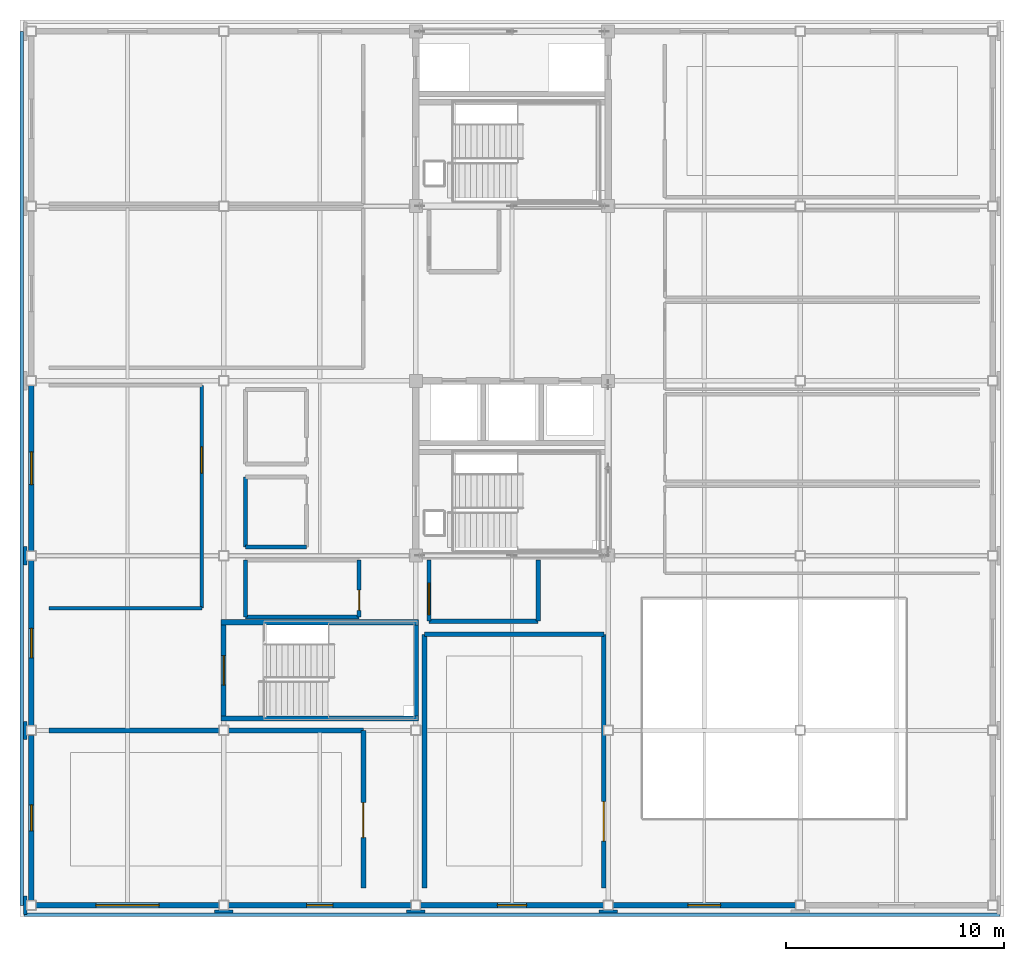
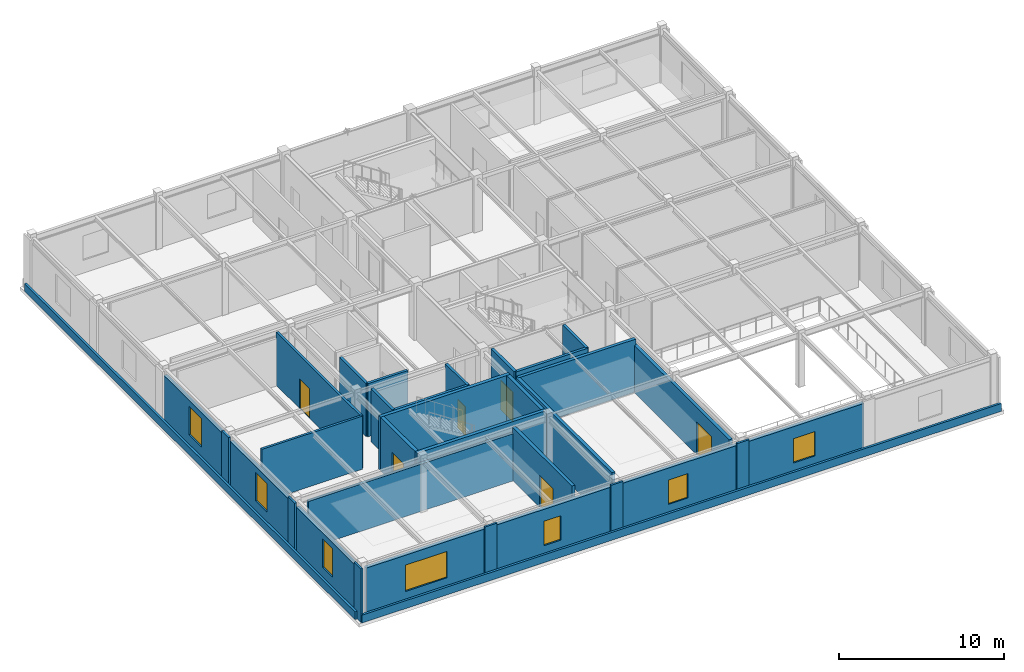
# One storey, part 12 of 18: 34 walls, 7 windows, 6 doors, 13 openings.
"""IFC4 building model written with IfcOpenShell, lengths in metres."""

from ifc_helpers import new_model, si_unit, direction, frame, frame_2d, origin, place, context, subcontext, project, spatial, rectangle, extrude, material, layer, layer_set, type_object, element, fill, save


model = new_model("IFC4")

# Units and contexts
model_context = context("Model", 3, precision=1e-05, world=origin(), true_north=direction((0.0, 1.0)))
body_context = subcontext(model_context, "Body", "Model", "MODEL_VIEW")
ifc_project = project(units=[si_unit("LENGTHUNIT", "METRE"), si_unit("AREAUNIT", "SQUARE_METRE"), si_unit("VOLUMEUNIT", "CUBIC_METRE"), si_unit("PLANEANGLEUNIT", "RADIAN"), si_unit("MASSUNIT", "GRAM", prefix="KILO")], contexts=[model_context])

# Site, building, storey
site_placement = place(None, origin())
site = spatial("IfcSite", under=ifc_project, at=site_placement, CompositionType="ELEMENT")
building_placement = place(site_placement, origin())
building = spatial("IfcBuilding", under=site, at=building_placement, Name="Zhaolan Boulevard Law Courts", CompositionType="ELEMENT")
storey_placement = place(building_placement, frame((0.0, 0.0, 33.0)))
storey = spatial("IfcBuildingStorey", under=building, at=storey_placement, Name="L07", CompositionType="ELEMENT", Elevation=33.0)

# Walls
ifc_material_1 = material(Name="Concrete C40", Category="concrete")
ifc_layer_1 = layer(ifc_material_1, 0.139892578125)
ifc_layer_set_1 = layer_set([ifc_layer_1])
wall_type_1 = type_object("IfcWallType", Name="EXT WALL ARCH CLAD140", PredefinedType="SOLIDWALL", material=ifc_layer_set_1)
for number, where, z_axis, x_axis, name in (
    (1, (-0.280029296875, 29.580078125, 0.0), (0.0, 0.0, 1.0), (0.0, 1.0, 0.0), "Concrete Column Cloak Pier CPR-163"),
    (2, (-0.280029296875, 37.580078125, 0.0), (0.0, 0.0, 1.0), (0.0, 1.0, 0.0), "Concrete Column Cloak Pier CPR-165"),
    (3, (-0.280029296875, 45.580078125, 0.0), (0.0, 0.0, 1.0), (0.0, 1.0, 0.0), "Concrete Column Cloak Pier CPR-167"),
):
    element("IfcWall", number, at=place(storey_placement, frame(where, z_axis=z_axis, x_axis=x_axis)), inside=storey, type_object=wall_type_1, Name=name, PredefinedType="SOLIDWALL", context=body_context, shape_type="SweptSolid", body=[
        extrude(rectangle(XDim=0.83984375, YDim=0.139892578125, at=frame_2d((0.419921875, 0.0))), origin(), (0.0, 0.0, 1.0), 3.93994140625),
    ])
for number, where, z_axis, x_axis, name in (
    (4, (8.3798828125, 29.719970703125, 0.0), (0.0, 0.0, 1.0), (1.0, 0.0, 0.0), "Concrete Column Cloak Pier CPR-175"),
    (5, (17.179931640625, 29.719970703125, 0.0), (0.0, 0.0, 1.0), (1.0, 0.0, 0.0), "Concrete Column Cloak Pier CPR-176"),
    (6, (25.97998046875, 29.719970703125, 0.0), (0.0, 0.0, 1.0), (1.0, 0.0, 0.0), "Concrete Column Cloak Pier CPR-177"),
):
    element("IfcWall", number, at=place(storey_placement, frame(where, z_axis=z_axis, x_axis=x_axis)), inside=storey, type_object=wall_type_1, Name=name, PredefinedType="SOLIDWALL", context=body_context, shape_type="SweptSolid", body=[
        extrude(rectangle(XDim=0.840087890625, YDim=0.139892578125, at=frame_2d((0.419921875, 0.0))), origin(), (0.0, 0.0, 1.0), 3.93994140625),
    ])
ifc_material_2 = material(Name="Concrete C40", Category="concrete")
ifc_layer_2 = layer(ifc_material_2, 0.159912109375)
ifc_layer_set_2 = layer_set([ifc_layer_2])
wall_type_2 = type_object("IfcWallType", Name="EXT WALL ARCH CLAD160", PredefinedType="SOLIDWALL", material=ifc_layer_set_2)
wall_1_placement = place(storey_placement, frame((-0.43994140625, 70.0, 0.0), z_axis=(0.0, 0.0, 1.0), x_axis=(0.0, -1.0, 0.0)))
element("IfcWall", 7, at=wall_1_placement, inside=storey, type_object=wall_type_2, Name="Sculpted Concrete Spandrel Band CBW-159", PredefinedType="SOLIDWALL", context=body_context, shape_type="SweptSolid", body=[
    extrude(rectangle(XDim=40.0, YDim=0.159912109375, at=frame_2d((20.0, 0.0))), origin(), (0.0, 0.0, 1.0), 0.580078125),
])
wall_2_placement = place(storey_placement, frame((-0.340087890625, 29.56005859375, 0.0), z_axis=(0.0, 0.0, 1.0), x_axis=(1.0, 0.0, 0.0)))
element("IfcWall", 8, at=wall_2_placement, inside=storey, type_object=wall_type_2, Name="Sculpted Concrete Spandrel Band CBW-161", PredefinedType="SOLIDWALL", context=body_context, shape_type="SweptSolid", body=[
    extrude(rectangle(XDim=44.68017578125, YDim=0.159912109375, at=frame_2d((22.340087890625, 0.0))), origin(), (0.0, 0.0, 1.0), 0.580078125),
])

# Wall, opening, window
ifc_material_3 = material(Name="Concrete C40", Category="concrete")
ifc_layer_3 = layer(ifc_material_3, 0.260009765625)
ifc_layer_set_3 = layer_set([ifc_layer_3])
wall_type_3 = type_object("IfcWallType", Name="EXT WALL CONCRETE260", PredefinedType="SOLIDWALL", material=ifc_layer_set_3)
wall_3_placement = place(storey_placement, frame((0.220947265625, 30.0, 0.0), z_axis=(0.0, 0.0, 1.0), x_axis=(1.0, 0.0, 0.0)))
wall_3 = element("IfcWall", 9, at=wall_3_placement, inside=storey, type_object=wall_type_3, Name="Exterior Wall EW-L07-389", PredefinedType="SOLIDWALL", context=body_context, shape_type="SweptSolid", body=[
    extrude(rectangle(XDim=8.358154296875, YDim=0.260009765625, at=frame_2d((4.17919921875, 0.0))), origin(), (0.0, 0.0, 1.0), 3.633056640625),
])
opening_1_placement = place(wall_3_placement, frame((2.72900390625, 0.0, 0.949951171875)))
opening_1 = element("IfcOpeningElement", 10, at=opening_1_placement, cuts=wall_3, Name="Opening WIN-L07-239", PredefinedType="OPENING", context=body_context, shape_type="SweptSolid", body=[
    extrude(rectangle(XDim=2.89990234375, YDim=1.949951171875, at=frame_2d((1.449951171875, 0.97509765625))), frame((0.0, 0.139892578125, 0.0), z_axis=(0.0, -1.0, 0.0), x_axis=(1.0, 0.0, 0.0)), (0.0, 0.0, 1.0), 0.280029296875),
])
ifc_material_4 = material(Name="Thermally broken aluminium and low-E glazing", Category="aluminium")
window_type_1 = type_object("IfcWindowType", Name="WINDOW 2900X1950", PartitioningType="DOUBLE_PANEL_VERTICAL", PredefinedType="WINDOW", material=ifc_material_4)
window_1_placement = place(opening_1_placement, origin())
window_1 = element("IfcWindow", 11, at=window_1_placement, inside=storey, type_object=window_type_1, Name="Exterior Window WIN-L07-239", OverallHeight=1.949951171875, OverallWidth=2.89990234375, PartitioningType="SINGLE_PANEL", PredefinedType="WINDOW", context=body_context, shape_type="SweptSolid", body=[
    extrude(rectangle(XDim=2.89990234375, YDim=1.949951171875, at=frame_2d((1.449951171875, 0.97509765625))), frame((0.0, 0.030029296875, 0.0), z_axis=(0.0, -1.0, 0.0), x_axis=(1.0, 0.0, 0.0)), (0.0, 0.0, 1.0), 0.06005859375),
])
fill(opening_1, window_1)

wall_4_placement = place(storey_placement, frame((9.02099609375, 30.0, 0.0), z_axis=(0.0, 0.0, 1.0), x_axis=(1.0, 0.0, 0.0)))
wall_4 = element("IfcWall", 12, at=wall_4_placement, inside=storey, type_object=wall_type_3, Name="Exterior Wall EW-L07-390", PredefinedType="SOLIDWALL", context=body_context, shape_type="SweptSolid", body=[
    extrude(rectangle(XDim=8.35791015625, YDim=0.260009765625, at=frame_2d((4.178955078125, 0.0))), origin(), (0.0, 0.0, 1.0), 3.633056640625),
])
opening_2_placement = place(wall_4_placement, frame((3.5791015625, 0.0, 0.949951171875)))
opening_2 = element("IfcOpeningElement", 13, at=opening_2_placement, cuts=wall_4, Name="Opening WIN-L07-240", PredefinedType="OPENING", context=body_context, shape_type="SweptSolid", body=[
    extrude(rectangle(XDim=1.199951171875, YDim=1.800048828125, at=frame_2d((0.60009765625, 0.89990234375))), frame((0.0, 0.139892578125, 0.0), z_axis=(0.0, -1.0, 0.0), x_axis=(1.0, 0.0, 0.0)), (0.0, 0.0, 1.0), 0.280029296875),
])
ifc_material_5 = material(Name="Thermally broken aluminium and low-E glazing", Category="aluminium")
window_type_2 = type_object("IfcWindowType", Name="WINDOW 1200X1800", PartitioningType="SINGLE_PANEL", PredefinedType="WINDOW", material=ifc_material_5)
window_2_placement = place(opening_2_placement, origin())
window_2 = element("IfcWindow", 14, at=window_2_placement, inside=storey, type_object=window_type_2, Name="Exterior Window WIN-L07-240", OverallHeight=1.800048828125, OverallWidth=1.199951171875, PartitioningType="SINGLE_PANEL", PredefinedType="WINDOW", context=body_context, shape_type="SweptSolid", body=[
    extrude(rectangle(XDim=1.199951171875, YDim=1.800048828125, at=frame_2d((0.60009765625, 0.89990234375))), frame((0.0, 0.030029296875, 0.0), z_axis=(0.0, -1.0, 0.0), x_axis=(1.0, 0.0, 0.0)), (0.0, 0.0, 1.0), 0.06005859375),
])
fill(opening_2, window_2)

wall_5_placement = place(storey_placement, frame((17.821044921875, 30.0, 0.0), z_axis=(0.0, 0.0, 1.0), x_axis=(1.0, 0.0, 0.0)))
wall_5 = element("IfcWall", 15, at=wall_5_placement, inside=storey, type_object=wall_type_3, Name="Exterior Wall EW-L07-391", PredefinedType="SOLIDWALL", context=body_context, shape_type="SweptSolid", body=[
    extrude(rectangle(XDim=8.35791015625, YDim=0.260009765625, at=frame_2d((4.178955078125, 0.0))), origin(), (0.0, 0.0, 1.0), 3.633056640625),
])
opening_3_placement = place(wall_5_placement, frame((3.50390625, 0.0, 0.949951171875)))
opening_3 = element("IfcOpeningElement", 16, at=opening_3_placement, cuts=wall_5, Name="Opening WIN-L07-241", PredefinedType="OPENING", context=body_context, shape_type="SweptSolid", body=[
    extrude(rectangle(XDim=1.35009765625, YDim=1.800048828125, at=frame_2d((0.675048828125, 0.89990234375))), frame((0.0, 0.139892578125, 0.0), z_axis=(0.0, -1.0, 0.0), x_axis=(1.0, 0.0, 0.0)), (0.0, 0.0, 1.0), 0.280029296875),
])
ifc_material_6 = material(Name="Thermally broken aluminium and low-E glazing", Category="aluminium")
window_type_3 = type_object("IfcWindowType", Name="WINDOW 1350X1800", PartitioningType="SINGLE_PANEL", PredefinedType="WINDOW", material=ifc_material_6)
window_3_placement = place(opening_3_placement, origin())
window_3 = element("IfcWindow", 17, at=window_3_placement, inside=storey, type_object=window_type_3, Name="Exterior Window WIN-L07-241", OverallHeight=1.800048828125, OverallWidth=1.35009765625, PartitioningType="SINGLE_PANEL", PredefinedType="WINDOW", context=body_context, shape_type="SweptSolid", body=[
    extrude(rectangle(XDim=1.35009765625, YDim=1.800048828125, at=frame_2d((0.675048828125, 0.89990234375))), frame((0.0, 0.030029296875, 0.0), z_axis=(0.0, -1.0, 0.0), x_axis=(1.0, 0.0, 0.0)), (0.0, 0.0, 1.0), 0.06005859375),
])
fill(opening_3, window_3)

wall_6_placement = place(storey_placement, frame((26.62109375, 30.0, 0.0), z_axis=(0.0, 0.0, 1.0), x_axis=(1.0, 0.0, 0.0)))
wall_6 = element("IfcWall", 18, at=wall_6_placement, inside=storey, type_object=wall_type_3, Name="Exterior Wall EW-L07-392", PredefinedType="SOLIDWALL", context=body_context, shape_type="SweptSolid", body=[
    extrude(rectangle(XDim=8.35791015625, YDim=0.260009765625, at=frame_2d((4.178955078125, 0.0))), origin(), (0.0, 0.0, 1.0), 3.633056640625),
])
opening_4_placement = place(wall_6_placement, frame((3.428955078125, 0.0, 0.949951171875)))
opening_4 = element("IfcOpeningElement", 19, at=opening_4_placement, cuts=wall_6, Name="Opening WIN-L07-242", PredefinedType="OPENING", context=body_context, shape_type="SweptSolid", body=[
    extrude(rectangle(XDim=1.5, YDim=1.800048828125, at=frame_2d((0.75, 0.89990234375))), frame((0.0, 0.139892578125, 0.0), z_axis=(0.0, -1.0, 0.0), x_axis=(1.0, 0.0, 0.0)), (0.0, 0.0, 1.0), 0.280029296875),
])
ifc_material_7 = material(Name="Thermally broken aluminium and low-E glazing", Category="aluminium")
window_type_4 = type_object("IfcWindowType", Name="WINDOW 1500X1800", PartitioningType="SINGLE_PANEL", PredefinedType="WINDOW", material=ifc_material_7)
window_4_placement = place(opening_4_placement, origin())
window_4 = element("IfcWindow", 20, at=window_4_placement, inside=storey, type_object=window_type_4, Name="Exterior Window WIN-L07-242", OverallHeight=1.800048828125, OverallWidth=1.5, PartitioningType="SINGLE_PANEL", PredefinedType="WINDOW", context=body_context, shape_type="SweptSolid", body=[
    extrude(rectangle(XDim=1.5, YDim=1.800048828125, at=frame_2d((0.75, 0.89990234375))), frame((0.0, 0.030029296875, 0.0), z_axis=(0.0, -1.0, 0.0), x_axis=(1.0, 0.0, 0.0)), (0.0, 0.0, 1.0), 0.06005859375),
])
fill(opening_4, window_4)

wall_7_placement = place(storey_placement, frame((0.0, 37.779052734375, 0.0), z_axis=(0.0, 0.0, 1.0), x_axis=(0.0, -1.0, 0.0)))
wall_7 = element("IfcWall", 21, at=wall_7_placement, inside=storey, type_object=wall_type_3, Name="Exterior Wall EW-L07-398", PredefinedType="SOLIDWALL", context=body_context, shape_type="SweptSolid", body=[
    extrude(rectangle(XDim=7.55810546875, YDim=0.260009765625, at=frame_2d((3.779052734375, 0.0))), origin(), (0.0, 0.0, 1.0), 3.48291015625),
])
opening_5_placement = place(wall_7_placement, frame((3.178955078125, 0.0, 0.949951171875)))
opening_5 = element("IfcOpeningElement", 22, at=opening_5_placement, cuts=wall_7, Name="Opening WIN-L07-248", PredefinedType="OPENING", context=body_context, shape_type="SweptSolid", body=[
    extrude(rectangle(XDim=1.199951171875, YDim=2.10009765625, at=frame_2d((0.60009765625, 1.050048828125))), frame((0.0, 0.139892578125, 0.0), z_axis=(0.0, -1.0, 0.0), x_axis=(1.0, 0.0, 0.0)), (0.0, 0.0, 1.0), 0.280029296875),
])
ifc_material_8 = material(Name="Thermally broken aluminium and low-E glazing", Category="aluminium")
window_type_5 = type_object("IfcWindowType", Name="WINDOW 1200X2100", PartitioningType="SINGLE_PANEL", PredefinedType="WINDOW", material=ifc_material_8)
window_5_placement = place(opening_5_placement, origin())
window_5 = element("IfcWindow", 23, at=window_5_placement, inside=storey, type_object=window_type_5, Name="Exterior Window WIN-L07-248", OverallHeight=2.10009765625, OverallWidth=1.199951171875, PartitioningType="SINGLE_PANEL", PredefinedType="WINDOW", context=body_context, shape_type="SweptSolid", body=[
    extrude(rectangle(XDim=1.199951171875, YDim=2.10009765625, at=frame_2d((0.60009765625, 1.050048828125))), frame((0.0, 0.030029296875, 0.0), z_axis=(0.0, -1.0, 0.0), x_axis=(1.0, 0.0, 0.0)), (0.0, 0.0, 1.0), 0.06005859375),
])
fill(opening_5, window_5)

wall_8_placement = place(storey_placement, frame((0.0, 45.779052734375, 0.0), z_axis=(0.0, 0.0, 1.0), x_axis=(0.0, -1.0, 0.0)))
wall_8 = element("IfcWall", 24, at=wall_8_placement, inside=storey, type_object=wall_type_3, Name="Exterior Wall EW-L07-399", PredefinedType="SOLIDWALL", context=body_context, shape_type="SweptSolid", body=[
    extrude(rectangle(XDim=7.55810546875, YDim=0.260009765625, at=frame_2d((3.779052734375, 0.0))), origin(), (0.0, 0.0, 1.0), 3.48291015625),
])
opening_6_placement = place(wall_8_placement, frame((3.10400390625, 0.0, 0.949951171875)))
opening_6 = element("IfcOpeningElement", 25, at=opening_6_placement, cuts=wall_8, Name="Opening WIN-L07-249", PredefinedType="OPENING", context=body_context, shape_type="SweptSolid", body=[
    extrude(rectangle(XDim=1.35009765625, YDim=2.10009765625, at=frame_2d((0.675048828125, 1.050048828125))), frame((0.0, 0.139892578125, 0.0), z_axis=(0.0, -1.0, 0.0), x_axis=(1.0, 0.0, 0.0)), (0.0, 0.0, 1.0), 0.280029296875),
])
ifc_material_9 = material(Name="Thermally broken aluminium and low-E glazing", Category="aluminium")
window_type_6 = type_object("IfcWindowType", Name="WINDOW 1350X2100", PartitioningType="SINGLE_PANEL", PredefinedType="WINDOW", material=ifc_material_9)
window_6_placement = place(opening_6_placement, origin())
window_6 = element("IfcWindow", 26, at=window_6_placement, inside=storey, type_object=window_type_6, Name="Exterior Window WIN-L07-249", OverallHeight=2.10009765625, OverallWidth=1.35009765625, PartitioningType="SINGLE_PANEL", PredefinedType="WINDOW", context=body_context, shape_type="SweptSolid", body=[
    extrude(rectangle(XDim=1.35009765625, YDim=2.10009765625, at=frame_2d((0.675048828125, 1.050048828125))), frame((0.0, 0.030029296875, 0.0), z_axis=(0.0, -1.0, 0.0), x_axis=(1.0, 0.0, 0.0)), (0.0, 0.0, 1.0), 0.06005859375),
])
fill(opening_6, window_6)

wall_9_placement = place(storey_placement, frame((0.0, 53.779052734375, 0.0), z_axis=(0.0, 0.0, 1.0), x_axis=(0.0, -1.0, 0.0)))
wall_9 = element("IfcWall", 27, at=wall_9_placement, inside=storey, type_object=wall_type_3, Name="Exterior Wall EW-L07-400", PredefinedType="SOLIDWALL", context=body_context, shape_type="SweptSolid", body=[
    extrude(rectangle(XDim=7.55810546875, YDim=0.260009765625, at=frame_2d((3.779052734375, 0.0))), origin(), (0.0, 0.0, 1.0), 3.48291015625),
])
opening_7_placement = place(wall_9_placement, frame((3.029052734375, 0.0, 0.949951171875)))
opening_7 = element("IfcOpeningElement", 28, at=opening_7_placement, cuts=wall_9, Name="Opening WIN-L07-250", PredefinedType="OPENING", context=body_context, shape_type="SweptSolid", body=[
    extrude(rectangle(XDim=1.5, YDim=2.10009765625, at=frame_2d((0.75, 1.050048828125))), frame((0.0, 0.139892578125, 0.0), z_axis=(0.0, -1.0, 0.0), x_axis=(1.0, 0.0, 0.0)), (0.0, 0.0, 1.0), 0.280029296875),
])
ifc_material_10 = material(Name="Thermally broken aluminium and low-E glazing", Category="aluminium")
window_type_7 = type_object("IfcWindowType", Name="WINDOW 1500X2100", PartitioningType="SINGLE_PANEL", PredefinedType="WINDOW", material=ifc_material_10)
window_7_placement = place(opening_7_placement, origin())
window_7 = element("IfcWindow", 29, at=window_7_placement, inside=storey, type_object=window_type_7, Name="Exterior Window WIN-L07-250", OverallHeight=2.10009765625, OverallWidth=1.5, PartitioningType="SINGLE_PANEL", PredefinedType="WINDOW", context=body_context, shape_type="SweptSolid", body=[
    extrude(rectangle(XDim=1.5, YDim=2.10009765625, at=frame_2d((0.75, 1.050048828125))), frame((0.0, 0.030029296875, 0.0), z_axis=(0.0, -1.0, 0.0), x_axis=(1.0, 0.0, 0.0)), (0.0, 0.0, 1.0), 0.06005859375),
])
fill(opening_7, window_7)

# Wall
ifc_material_11 = material(Name="Acoustic gypsum and mineral-wool stud")
ifc_layer_4 = layer(ifc_material_11, 0.18994140625)
ifc_layer_set_4 = layer_set([ifc_layer_4])
wall_type_4 = type_object("IfcWallType", Name="PART WALL ACOUST190", PredefinedType="PARTITIONING", material=ifc_layer_set_4)
wall_10_placement = place(storey_placement, frame((18.199951171875, 43.0, 0.0), z_axis=(0.0, 0.0, 1.0), x_axis=(1.0, 0.0, 0.0)))
element("IfcWall", 30, at=wall_10_placement, inside=storey, type_object=wall_type_4, Name="Interior Partition PW-L07-049", PredefinedType="PARTITIONING", context=body_context, shape_type="SweptSolid", body=[
    extrude(rectangle(XDim=5.0, YDim=0.18994140625, at=frame_2d((2.5, 0.0))), origin(), (0.0, 0.0, 1.0), 3.919921875),
])

# Wall, opening, door
wall_11_placement = place(storey_placement, frame((18.199951171875, 45.800048828125, 0.0), z_axis=(0.0, 0.0, 1.0), x_axis=(0.0, -1.0, 0.0)))
wall_11 = element("IfcWall", 31, at=wall_11_placement, inside=storey, type_object=wall_type_4, Name="Interior Partition PW-L07-050", PredefinedType="PARTITIONING", context=body_context, shape_type="SweptSolid", body=[
    extrude(rectangle(XDim=2.800048828125, YDim=0.18994140625, at=frame_2d((1.39990234375, 0.0))), origin(), (0.0, 0.0, 1.0), 3.919921875),
])
opening_8_placement = place(wall_11_placement, frame((1.050048828125, 0.0, 0.0)))
opening_8 = element("IfcOpeningElement", 32, at=opening_8_placement, cuts=wall_11, Name="Opening FD-L07-017", PredefinedType="OPENING", context=body_context, shape_type="SweptSolid", body=[
    extrude(rectangle(XDim=1.449951171875, YDim=2.199951171875, at=frame_2d((0.72509765625, 1.10009765625))), frame((0.0, 0.10498046875, 0.0), z_axis=(0.0, -1.0, 0.0), x_axis=(1.0, 0.0, 0.0)), (0.0, 0.0, 1.0), 0.2099609375),
])
ifc_material_12 = material(Name="Fire-rated steel acoustic door", Category="steel")
door_type_1 = type_object("IfcDoorType", Name="LOBBY FIRE 1450X2200 L", OperationType="SINGLE_SWING_LEFT", PredefinedType="DOOR", material=ifc_material_12)
door_1_placement = place(opening_8_placement, origin())
door_1 = element("IfcDoor", 33, at=door_1_placement, inside=storey, type_object=door_type_1, Name="Door FD-L07-017 (Lobby Firefighting Lift L07-W1)", OperationType="SINGLE_SWING_LEFT", OverallHeight=2.199951171875, OverallWidth=1.449951171875, PredefinedType="DOOR", context=body_context, shape_type="SweptSolid", body=[
    extrude(rectangle(XDim=1.449951171875, YDim=2.199951171875, at=frame_2d((0.72509765625, 1.10009765625))), frame((0.0, 0.02490234375, 0.0), z_axis=(0.0, -1.0, 0.0), x_axis=(1.0, 0.0, 0.0)), (0.0, 0.0, 1.0), 0.050048828125),
])
fill(opening_8, door_1)

# Walls
wall_12_placement = place(storey_placement, frame((23.199951171875, 43.0, 0.0), z_axis=(0.0, 0.0, 1.0), x_axis=(0.0, 1.0, 0.0)))
element("IfcWall", 34, at=wall_12_placement, inside=storey, type_object=wall_type_4, Name="Interior Partition PW-L07-051", PredefinedType="PARTITIONING", context=body_context, shape_type="SweptSolid", body=[
    extrude(rectangle(XDim=2.800048828125, YDim=0.18994140625, at=frame_2d((1.39990234375, 0.0))), origin(), (0.0, 0.0, 1.0), 3.919921875),
])
ifc_material_13 = material(Name="Fire-rated gypsum stud partition")
ifc_layer_5 = layer(ifc_material_13, 0.159912109375)
ifc_layer_set_5 = layer_set([ifc_layer_5])
wall_type_5 = type_object("IfcWallType", Name="PART WALL CHAMB160", PredefinedType="PARTITIONING", material=ifc_layer_set_5)
wall_13_placement = place(storey_placement, frame((0.800048828125, 43.60009765625, 0.0), z_axis=(0.0, 0.0, 1.0), x_axis=(1.0, 0.0, 0.0)))
element("IfcWall", 35, at=wall_13_placement, inside=storey, type_object=wall_type_5, Name="Interior Partition PW-L07-803", PredefinedType="PARTITIONING", context=body_context, shape_type="SweptSolid", body=[
    extrude(rectangle(XDim=7.0, YDim=0.159912109375, at=frame_2d((3.5, 0.0))), origin(), (0.0, 0.0, 1.0), 3.919921875),
])

# Wall, opening, door
wall_14_placement = place(storey_placement, frame((7.800048828125, 43.60009765625, 0.0), z_axis=(0.0, 0.0, 1.0), x_axis=(0.0, 1.0, 0.0)))
wall_14 = element("IfcWall", 36, at=wall_14_placement, inside=storey, type_object=wall_type_5, Name="Interior Partition PW-L07-805", PredefinedType="PARTITIONING", context=body_context, shape_type="SweptSolid", body=[
    extrude(rectangle(XDim=10.199951171875, YDim=0.159912109375, at=frame_2d((5.10009765625, 0.0))), origin(), (0.0, 0.0, 1.0), 3.919921875),
])
opening_9_placement = place(wall_14_placement, frame((6.179931640625, 0.0, 0.0)))
opening_9 = element("IfcOpeningElement", 37, at=opening_9_placement, cuts=wall_14, Name="Opening MD-L07-253", PredefinedType="OPENING", context=body_context, shape_type="SweptSolid", body=[
    extrude(rectangle(XDim=1.199951171875, YDim=2.199951171875, at=frame_2d((0.60009765625, 1.10009765625))), frame((0.0, 0.08984375, 0.0), z_axis=(0.0, -1.0, 0.0), x_axis=(1.0, 0.0, 0.0)), (0.0, 0.0, 1.0), 0.179931640625),
])
ifc_material_14 = material(Name="Solid-core acoustic oak veneer door")
door_type_2 = type_object("IfcDoorType", Name="MED DOOR 1200X2200 L", OperationType="SINGLE_SWING_LEFT", PredefinedType="DOOR", material=ifc_material_14)
door_2_placement = place(opening_9_placement, origin())
door_2 = element("IfcDoor", 38, at=door_2_placement, inside=storey, type_object=door_type_2, Name="Door MD-L07-253 (Administrative Mediation Suite L07)", OperationType="SINGLE_SWING_LEFT", OverallHeight=2.199951171875, OverallWidth=1.199951171875, PredefinedType="DOOR", context=body_context, shape_type="SweptSolid", body=[
    extrude(rectangle(XDim=1.199951171875, YDim=2.199951171875, at=frame_2d((0.60009765625, 1.10009765625))), frame((0.0, 0.02490234375, 0.0), z_axis=(0.0, -1.0, 0.0), x_axis=(1.0, 0.0, 0.0)), (0.0, 0.0, 1.0), 0.050048828125),
])
fill(opening_9, door_2)

# Wall
ifc_material_15 = material(Name="Concrete C40", Category="concrete")
ifc_layer_6 = layer(ifc_material_15, 0.219970703125)
ifc_layer_set_6 = layer_set([ifc_layer_6])
wall_type_6 = type_object("IfcWallType", Name="PART WALL COURT220", PredefinedType="PARTITIONING", material=ifc_layer_set_6)
wall_15_placement = place(storey_placement, frame((15.199951171875, 38.0, 0.0), z_axis=(0.0, 0.0, 1.0), x_axis=(-1.0, 0.0, 0.0)))
element("IfcWall", 39, at=wall_15_placement, inside=storey, type_object=wall_type_6, Name="Interior Partition PW-L07-689", PredefinedType="PARTITIONING", context=body_context, shape_type="SweptSolid", body=[
    extrude(rectangle(XDim=14.39990234375, YDim=0.219970703125, at=frame_2d((7.199951171875, 0.0))), origin(), (0.0, 0.0, 1.0), 3.486083984375),
])

# Wall, opening, door
wall_16_placement = place(storey_placement, frame((15.199951171875, 30.800048828125, 0.0), z_axis=(0.0, 0.0, 1.0), x_axis=(0.0, 1.0, 0.0)))
wall_16 = element("IfcWall", 40, at=wall_16_placement, inside=storey, type_object=wall_type_6, Name="Interior Partition PW-L07-690", PredefinedType="PARTITIONING", context=body_context, shape_type="SweptSolid", body=[
    extrude(rectangle(XDim=7.199951171875, YDim=0.219970703125, at=frame_2d((3.60009765625, 0.0))), origin(), (0.0, 0.0, 1.0), 3.919921875),
])
opening_10_placement = place(wall_16_placement, frame((2.300048828125, 0.0, 0.0)))
opening_10 = element("IfcOpeningElement", 41, at=opening_10_placement, cuts=wall_16, Name="Opening ID-L07-211", PredefinedType="OPENING", context=body_context, shape_type="SweptSolid", body=[
    extrude(rectangle(XDim=1.60009765625, YDim=2.35009765625, at=frame_2d((0.800048828125, 1.175048828125))), frame((0.0, 0.119873046875, 0.0), z_axis=(0.0, -1.0, 0.0), x_axis=(1.0, 0.0, 0.0)), (0.0, 0.0, 1.0), 0.239990234375),
])
ifc_material_16 = material(Name="Solid-core acoustic oak veneer door")
door_type_3 = type_object("IfcDoorType", Name="COURT DOUBLE 1600X2350", OperationType="DOUBLE_DOOR_SINGLE_SWING", PredefinedType="DOOR", material=ifc_material_16)
door_3_placement = place(opening_10_placement, origin())
door_3 = element("IfcDoor", 42, at=door_3_placement, inside=storey, type_object=door_type_3, Name="Door ID-L07-211 (Administrative Review Courtroom 22)", OperationType="DOUBLE_DOOR_SINGLE_SWING", OverallHeight=2.35009765625, OverallWidth=1.60009765625, PredefinedType="DOOR", context=body_context, shape_type="SweptSolid", body=[
    extrude(rectangle(XDim=1.60009765625, YDim=2.35009765625, at=frame_2d((0.800048828125, 1.175048828125))), frame((0.0, 0.02490234375, 0.0), z_axis=(0.0, -1.0, 0.0), x_axis=(1.0, 0.0, 0.0)), (0.0, 0.0, 1.0), 0.050048828125),
])
fill(opening_10, door_3)

# Walls
wall_17_placement = place(storey_placement, frame((26.199951171875, 42.39990234375, 0.0), z_axis=(0.0, 0.0, 1.0), x_axis=(-1.0, 0.0, 0.0)))
element("IfcWall", 43, at=wall_17_placement, inside=storey, type_object=wall_type_6, Name="Interior Partition PW-L07-800", PredefinedType="PARTITIONING", context=body_context, shape_type="SweptSolid", body=[
    extrude(rectangle(XDim=8.199951171875, YDim=0.219970703125, at=frame_2d((4.10009765625, 0.0))), origin(), (0.0, 0.0, 1.0), 3.919921875),
])
wall_18_placement = place(storey_placement, frame((18.0, 42.39990234375, 0.0), z_axis=(0.0, 0.0, 1.0), x_axis=(0.0, -1.0, 0.0)))
element("IfcWall", 44, at=wall_18_placement, inside=storey, type_object=wall_type_6, Name="Interior Partition PW-L07-801", PredefinedType="PARTITIONING", context=body_context, shape_type="SweptSolid", body=[
    extrude(rectangle(XDim=11.599853515625, YDim=0.219970703125, at=frame_2d((5.7998046875, 0.0))), origin(), (0.0, 0.0, 1.0), 3.919921875),
])

# Wall, opening, door
wall_19_placement = place(storey_placement, frame((26.199951171875, 30.800048828125, 0.0), z_axis=(0.0, 0.0, 1.0), x_axis=(0.0, 1.0, 0.0)))
wall_19 = element("IfcWall", 45, at=wall_19_placement, inside=storey, type_object=wall_type_6, Name="Interior Partition PW-L07-802", PredefinedType="PARTITIONING", context=body_context, shape_type="SweptSolid", body=[
    extrude(rectangle(XDim=11.599853515625, YDim=0.219970703125, at=frame_2d((5.7998046875, 0.0))), origin(), (0.0, 0.0, 1.0), 3.486083984375),
])
opening_11_placement = place(wall_19_placement, frame((2.139892578125, 0.0, 0.0)))
opening_11 = element("IfcOpeningElement", 46, at=opening_11_placement, cuts=wall_19, Name="Opening ID-L07-252", PredefinedType="OPENING", context=body_context, shape_type="SweptSolid", body=[
    extrude(rectangle(XDim=1.800048828125, YDim=2.39990234375, at=frame_2d((0.89990234375, 1.199951171875))), frame((0.0, 0.119873046875, 0.0), z_axis=(0.0, -1.0, 0.0), x_axis=(1.0, 0.0, 0.0)), (0.0, 0.0, 1.0), 0.239990234375),
])
ifc_material_17 = material(Name="Solid-core acoustic oak veneer door")
door_type_4 = type_object("IfcDoorType", Name="COURT DOUBLE 1800X2400", OperationType="DOUBLE_DOOR_SINGLE_SWING", PredefinedType="DOOR", material=ifc_material_17)
door_4_placement = place(opening_11_placement, origin())
door_4 = element("IfcDoor", 47, at=door_4_placement, inside=storey, type_object=door_type_4, Name="Door ID-L07-252 (Taxation Review Courtroom L07)", OperationType="DOUBLE_DOOR_SINGLE_SWING", OverallHeight=2.39990234375, OverallWidth=1.800048828125, PredefinedType="DOOR", context=body_context, shape_type="SweptSolid", body=[
    extrude(rectangle(XDim=1.800048828125, YDim=2.39990234375, at=frame_2d((0.89990234375, 1.199951171875))), frame((0.0, 0.02490234375, 0.0), z_axis=(0.0, -1.0, 0.0), x_axis=(1.0, 0.0, 0.0)), (0.0, 0.0, 1.0), 0.050048828125),
])
fill(opening_11, door_4)

# Walls
ifc_material_18 = material(Name="Moisture-resistant masonry chase wall", Category="masonry")
ifc_layer_7 = layer(ifc_material_18, 0.179931640625)
ifc_layer_set_7 = layer_set([ifc_layer_7])
wall_type_7 = type_object("IfcWallType", Name="PLUMB WALL 180", PredefinedType="PLUMBINGWALL", material=ifc_layer_set_7)
wall_20_placement = place(storey_placement, frame((9.800048828125, 46.39990234375, 0.0), z_axis=(0.0, 0.0, 1.0), x_axis=(1.0, 0.0, 0.0)))
element("IfcWall", 48, at=wall_20_placement, inside=storey, type_object=wall_type_7, Name="Interior Partition PW-L07-175", PredefinedType="PLUMBINGWALL", context=body_context, shape_type="SweptSolid", body=[
    extrude(rectangle(XDim=2.800048828125, YDim=0.179931640625, at=frame_2d((1.39990234375, 0.0))), origin(), (0.0, 0.0, 1.0), 3.919921875),
])
wall_21_placement = place(storey_placement, frame((9.800048828125, 49.60009765625, 0.0), z_axis=(0.0, 0.0, 1.0), x_axis=(0.0, -1.0, 0.0)))
element("IfcWall", 49, at=wall_21_placement, inside=storey, type_object=wall_type_7, Name="Interior Partition PW-L07-177", PredefinedType="PLUMBINGWALL", context=body_context, shape_type="SweptSolid", body=[
    extrude(rectangle(XDim=3.2001953125, YDim=0.179931640625, at=frame_2d((1.60009765625, 0.0))), origin(), (0.0, 0.0, 1.0), 3.919921875),
])
wall_22_placement = place(storey_placement, frame((9.800048828125, 43.199951171875, 0.0), z_axis=(0.0, 0.0, 1.0), x_axis=(1.0, 0.0, 0.0)))
element("IfcWall", 50, at=wall_22_placement, inside=storey, type_object=wall_type_7, Name="Interior Partition PW-L07-183", PredefinedType="PLUMBINGWALL", context=body_context, shape_type="SweptSolid", body=[
    extrude(rectangle(XDim=5.199951171875, YDim=0.179931640625, at=frame_2d((2.60009765625, 0.0))), origin(), (0.0, 0.0, 1.0), 3.919921875),
])
wall_23_placement = place(storey_placement, frame((9.800048828125, 45.800048828125, 0.0), z_axis=(0.0, 0.0, 1.0), x_axis=(0.0, -1.0, 0.0)))
element("IfcWall", 51, at=wall_23_placement, inside=storey, type_object=wall_type_7, Name="Interior Partition PW-L07-185", PredefinedType="PLUMBINGWALL", context=body_context, shape_type="SweptSolid", body=[
    extrude(rectangle(XDim=2.60009765625, YDim=0.179931640625, at=frame_2d((1.300048828125, 0.0))), origin(), (0.0, 0.0, 1.0), 3.919921875),
])

# Wall, opening, door
wall_24_placement = place(storey_placement, frame((15.0, 43.199951171875, 0.0), z_axis=(0.0, 0.0, 1.0), x_axis=(0.0, 1.0, 0.0)))
wall_24 = element("IfcWall", 52, at=wall_24_placement, inside=storey, type_object=wall_type_7, Name="Interior Partition PW-L07-186", PredefinedType="PLUMBINGWALL", context=body_context, shape_type="SweptSolid", body=[
    extrude(rectangle(XDim=2.60009765625, YDim=0.179931640625, at=frame_2d((1.300048828125, 0.0))), origin(), (0.0, 0.0, 1.0), 3.919921875),
])
opening_12_placement = place(wall_24_placement, frame((0.300048828125, 0.0, 0.0)))
opening_12 = element("IfcOpeningElement", 53, at=opening_12_placement, cuts=wall_24, Name="Opening WD-L07-054", PredefinedType="OPENING", context=body_context, shape_type="SweptSolid", body=[
    extrude(rectangle(XDim=0.919921875, YDim=2.10009765625, at=frame_2d((0.4599609375, 1.050048828125))), frame((0.0, 0.099853515625, 0.0), z_axis=(0.0, -1.0, 0.0), x_axis=(1.0, 0.0, 0.0)), (0.0, 0.0, 1.0), 0.199951171875),
])
ifc_material_19 = material(Name="Solid-core acoustic oak veneer door")
door_type_5 = type_object("IfcDoorType", Name="WCDOOR PUB 920X2100 R", OperationType="SINGLE_SWING_RIGHT", PredefinedType="DOOR", material=ifc_material_19)
door_5_placement = place(opening_12_placement, origin())
door_5 = element("IfcDoor", 54, at=door_5_placement, inside=storey, type_object=door_type_5, Name="Door WD-L07-054 (WC Public Female L07)", OperationType="SINGLE_SWING_RIGHT", OverallHeight=2.10009765625, OverallWidth=0.919921875, PredefinedType="DOOR", context=body_context, shape_type="SweptSolid", body=[
    extrude(rectangle(XDim=0.919921875, YDim=2.10009765625, at=frame_2d((0.4599609375, 1.050048828125))), frame((0.0, 0.02490234375, 0.0), z_axis=(0.0, -1.0, 0.0), x_axis=(1.0, 0.0, 0.0)), (0.0, 0.0, 1.0), 0.050048828125),
])
fill(opening_12, door_5)

# Walls
ifc_material_20 = material(Name="Concrete C50", Category="concrete")
ifc_layer_8 = layer(ifc_material_20, 0.239990234375)
ifc_layer_set_8 = layer_set([ifc_layer_8])
wall_type_8 = type_object("IfcWallType", Name="STAIR WELL WALL 240", PredefinedType="SHEAR", material=ifc_layer_set_8)
for number, where, z_axis, x_axis, name in (
    (55, (8.679931640625, 38.550048828125, 0.0), (0.0, 0.0, 1.0), (1.0, 0.0, 0.0), "Stairwell Shear Wall ST03-L07S"),
    (56, (17.719970703125, 42.949951171875, 0.0), (0.0, 0.0, 1.0), (-1.0, 0.0, 0.0), "Stairwell Shear Wall ST03-L07N"),
):
    element("IfcWall", number, at=place(storey_placement, frame(where, z_axis=z_axis, x_axis=x_axis)), inside=storey, type_object=wall_type_8, Name=name, PredefinedType="SHEAR", context=body_context, shape_type="SweptSolid", body=[
        extrude(rectangle(XDim=9.0400390625, YDim=0.239990234375, at=frame_2d((4.52001953125, 0.0))), origin(), (0.0, 0.0, 1.0), 3.949951171875),
    ])

# Wall, opening, door
wall_25_placement = place(storey_placement, frame((8.800048828125, 38.669921875, 0.0), z_axis=(0.0, 0.0, 1.0), x_axis=(0.0, 1.0, 0.0)))
wall_25 = element("IfcWall", 57, at=wall_25_placement, inside=storey, type_object=wall_type_8, Name="Stairwell Shear Wall ST03-L07W", PredefinedType="SHEAR", context=body_context, shape_type="SweptSolid", body=[
    extrude(rectangle(XDim=4.16015625, YDim=0.239990234375, at=frame_2d((2.080078125, 0.0))), origin(), (0.0, 0.0, 1.0), 3.949951171875),
])
opening_13_placement = place(wall_25_placement, frame((1.405029296875, 0.0, 0.0)))
opening_13 = element("IfcOpeningElement", 58, at=opening_13_placement, cuts=wall_25, Name="Opening SD-L07-54", PredefinedType="OPENING", context=body_context, shape_type="SweptSolid", body=[
    extrude(rectangle(XDim=1.35009765625, YDim=2.199951171875, at=frame_2d((0.675048828125, 1.10009765625))), frame((0.0, 0.1298828125, 0.0), z_axis=(0.0, -1.0, 0.0), x_axis=(1.0, 0.0, 0.0)), (0.0, 0.0, 1.0), 0.260009765625),
])
ifc_material_21 = material(Name="Fire-rated steel acoustic door", Category="steel")
door_type_6 = type_object("IfcDoorType", Name="STAIR FIRE 1350X2200 R", OperationType="SINGLE_SWING_RIGHT", PredefinedType="DOOR", material=ifc_material_21)
door_6_placement = place(opening_13_placement, origin())
door_6 = element("IfcDoor", 59, at=door_6_placement, inside=storey, type_object=door_type_6, Name="Smoke-Proof Stairwell Fire Door SD-L07-54", OperationType="SINGLE_SWING_RIGHT", OverallHeight=2.199951171875, OverallWidth=1.35009765625, PredefinedType="DOOR", context=body_context, shape_type="SweptSolid", body=[
    extrude(rectangle(XDim=1.35009765625, YDim=2.199951171875, at=frame_2d((0.675048828125, 1.10009765625))), frame((0.0, 0.02490234375, 0.0), z_axis=(0.0, -1.0, 0.0), x_axis=(1.0, 0.0, 0.0)), (0.0, 0.0, 1.0), 0.050048828125),
])
fill(opening_13, door_6)

# Wall
wall_26_placement = place(storey_placement, frame((17.60009765625, 38.669921875, 0.0), z_axis=(0.0, 0.0, 1.0), x_axis=(0.0, 1.0, 0.0)))
element("IfcWall", 60, at=wall_26_placement, inside=storey, type_object=wall_type_8, Name="Stairwell Shear Wall ST03-L07E", PredefinedType="SHEAR", context=body_context, shape_type="SweptSolid", body=[
    extrude(rectangle(XDim=4.16015625, YDim=0.239990234375, at=frame_2d((2.080078125, 0.0))), origin(), (0.0, 0.0, 1.0), 3.949951171875),
])

save(model, "model.ifc")
